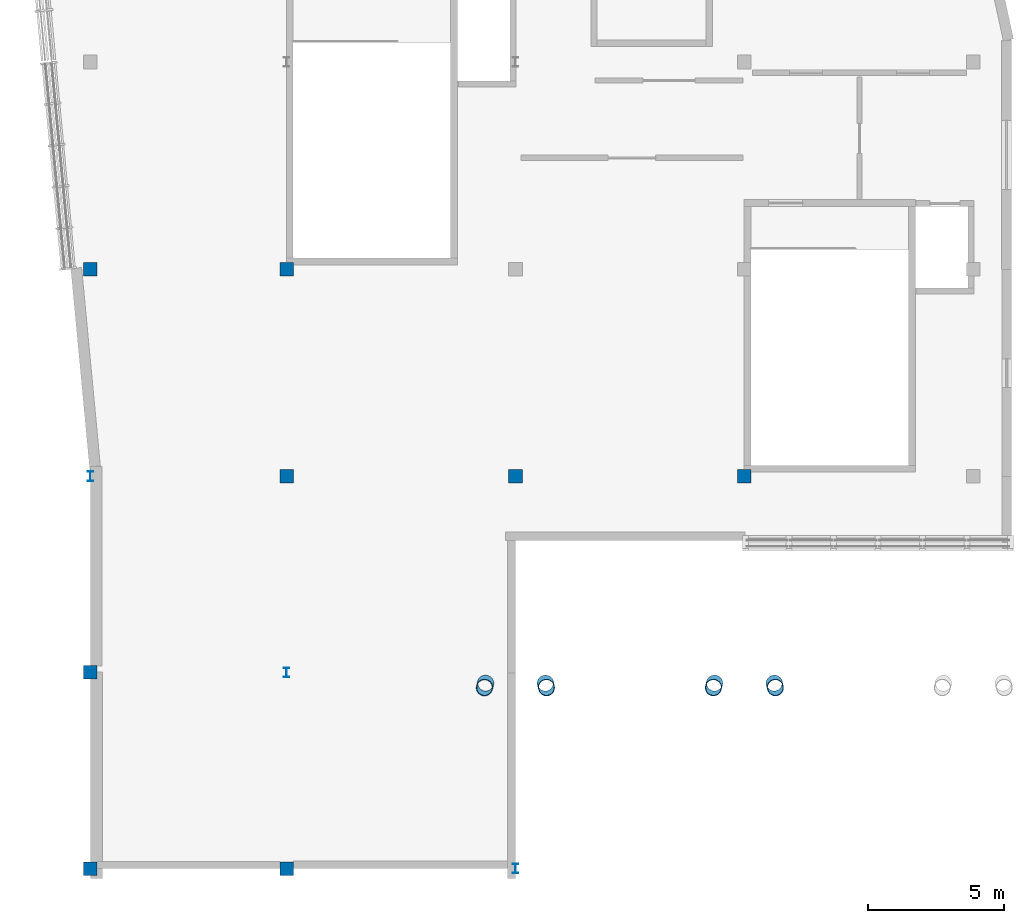
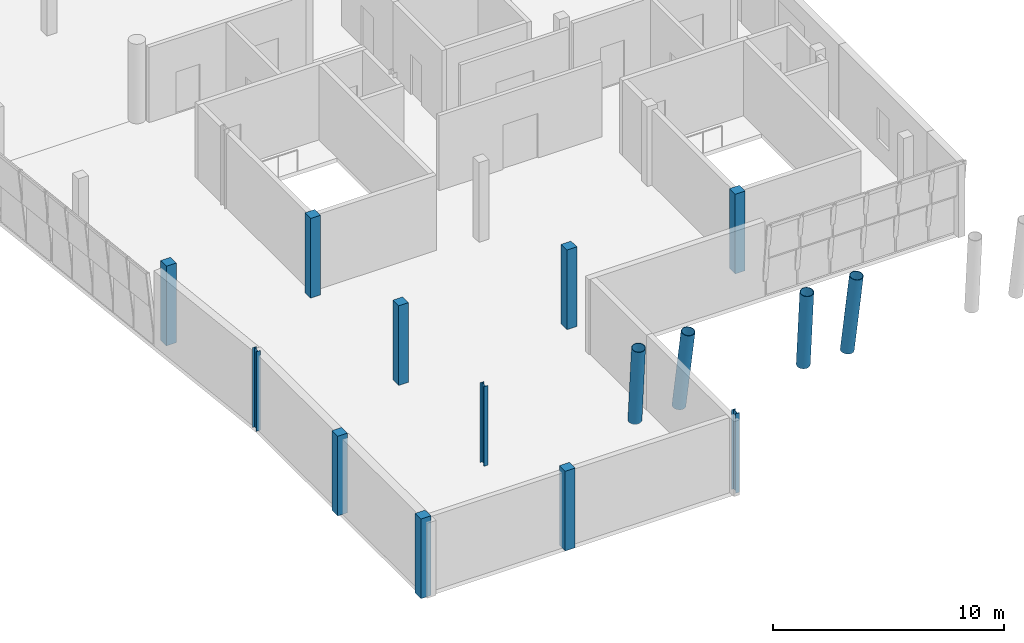
# One storey, part 1 of 17: 15 columns.
"""IFC4 building model written with IfcOpenShell, lengths in metres."""

from ifc_helpers import new_model, si_unit, direction, frame, origin, origin_2d, place, context, subcontext, project, spatial, rectangle, hollow_circle, i_section, extrude, material, material_profile, profile_set, type_object, element, save


model = new_model("IFC4")

# Units and contexts
model_context = context("Model", 3, precision=1e-05, world=origin(), true_north=direction((0.0, 1.0)))
body_context = subcontext(model_context, "Body", "Model", "MODEL_VIEW")
ifc_project = project(units=[si_unit("LENGTHUNIT", "METRE"), si_unit("AREAUNIT", "SQUARE_METRE"), si_unit("VOLUMEUNIT", "CUBIC_METRE"), si_unit("PLANEANGLEUNIT", "RADIAN"), si_unit("MASSUNIT", "GRAM", prefix="KILO")], contexts=[model_context])

# Site, building, storey
site_placement = place(None, origin())
site = spatial("IfcSite", under=ifc_project, at=site_placement, CompositionType="ELEMENT")
building_placement = place(site_placement, origin())
building = spatial("IfcBuilding", under=site, at=building_placement, Name="Xicomal Pleat Aquarium", CompositionType="ELEMENT")
storey_placement = place(building_placement, frame((0.0, 0.0, 19.800048828125)))
storey = spatial("IfcBuildingStorey", under=building, at=storey_placement, Name="L05", CompositionType="ELEMENT", Elevation=19.800048828125)

# Columns
ifc_material_1 = material(Name="Concrete C35/45", Category="concrete")
ifc_material_profile_1 = material_profile(ifc_material_1, rectangle(XDim=0.5, YDim=0.5, at=origin_2d()), Name="RC 500x500")
ifc_profile_set_1 = profile_set([ifc_material_profile_1], Name="Concrete C35/45")
column_type_1 = type_object("IfcColumnType", Name="COL-RC-500x500", PredefinedType="COLUMN", material=ifc_profile_set_1)
for number, where, z_axis, x_axis, name in (
    (1, (3.0, 0.800048828125, 0.0), (0.0, 0.0, 1.0), (1.0, 0.0, 0.0), "L05 column 01/A"),
    (2, (3.0, 8.0, 0.0), (0.0, 0.0, 1.0), (1.0, 0.0, 0.0), "L05 column 01/B"),
    (3, (3.0, 22.800048828125, 0.0), (0.0, 0.0, 1.0), (1.0, 0.0, 0.0), "L05 column 01/D"),
    (4, (10.199951171875, 0.800048828125, 0.0), (0.0, 0.0, 1.0), (1.0, 0.0, 0.0), "L05 column 02/A"),
    (5, (10.199951171875, 15.199951171875, 0.0), (0.0, 0.0, 1.0), (1.0, 0.0, 0.0), "L05 column 02/C"),
    (6, (10.199951171875, 22.800048828125, 0.0), (0.0, 0.0, 1.0), (1.0, 0.0, 0.0), "L05 column 02/D"),
    (7, (18.60009765625, 15.199951171875, 0.0), (0.0, 0.0, 1.0), (1.0, 0.0, 0.0), "L05 column 03/C"),
    (8, (27.0, 15.199951171875, 0.0), (0.0, 0.0, 1.0), (1.0, 0.0, 0.0), "L05 column 04/C"),
):
    element("IfcColumn", number, at=place(storey_placement, frame(where, z_axis=z_axis, x_axis=x_axis)), inside=storey, type_object=column_type_1, Name=name, PredefinedType="COLUMN", context=body_context, shape_type="SweptSolid", body=[
        extrude(rectangle(XDim=0.5, YDim=0.5, at=origin_2d()), origin(), (0.0, 0.0, 1.0), 4.199951171875),
    ])
ifc_material_2 = material(Name="Structural steel A992 Gr 50", Category="steel")
ifc_material_profile_2 = material_profile(ifc_material_2, i_section(OverallWidth=0.205078125, OverallDepth=0.35400390625, WebThickness=0.009521484375, FlangeThickness=0.016845703125, at=origin_2d()), Name="IR 360x79")
ifc_profile_set_2 = profile_set([ifc_material_profile_2], Name="Structural steel A992 Gr 50")
column_type_2 = type_object("IfcColumnType", Name="COL-STL-IR360", PredefinedType="COLUMN", material=ifc_profile_set_2)
for number, where, z_axis, x_axis, name in (
    (9, (3.0, 15.199951171875, 0.0), (0.0, 0.0, 1.0), (1.0, 0.0, 0.0), "L05 column 01/C"),
    (10, (10.199951171875, 8.0, 0.0), (0.0, 0.0, 1.0), (1.0, 0.0, 0.0), "L05 column 02/B"),
    (11, (18.60009765625, 0.800048828125, 0.0), (0.0, 0.0, 1.0), (1.0, 0.0, 0.0), "L05 column 03/A"),
):
    element("IfcColumn", number, at=place(storey_placement, frame(where, z_axis=z_axis, x_axis=x_axis)), inside=storey, type_object=column_type_2, Name=name, PredefinedType="COLUMN", context=body_context, shape_type="SweptSolid", body=[
        extrude(i_section(OverallWidth=0.205078125, OverallDepth=0.35400390625, WebThickness=0.009521484375, FlangeThickness=0.016845703125, at=origin_2d()), origin(), (0.0, 0.0, 1.0), 4.199951171875),
    ])
ifc_material_3 = material(Name="Architectural steel ASTM A572 Gr 50", Category="steel")
ifc_material_profile_3 = material_profile(ifc_material_3, hollow_circle(Radius=0.304931640625, WallThickness=0.02392578125, at=origin_2d()), Name="OC 610x24")
ifc_profile_set_3 = profile_set([ifc_material_profile_3], Name="Architectural steel ASTM A572 Gr 50")
column_type_3 = type_object("IfcColumnType", Name="COL-STL-OC610", PredefinedType="COLUMN", material=ifc_profile_set_3)
for number, where, z_axis, x_axis, name in (
    (12, (17.501953125, 7.595947265625, 0.005859375), (-0.032867909645, -0.130605173474, 0.990889493928), (0.969762870123, -0.244049125652, 0.0), "L05 entrance pavilion splayed steel column 03W"),
    (13, (19.697998046875, 7.595947265625, 0.005859375), (0.032867909645, -0.130605173474, 0.990889493928), (0.969762870123, 0.244049125652, 0.0), "L05 entrance pavilion splayed steel column 03E"),
    (14, (25.902099609375, 7.595947265625, 0.005859375), (-0.032925611418, -0.130604925291, 0.990887610985), (0.969661287127, -0.244452425326, 0.0), "L05 entrance pavilion splayed steel column 04W"),
    (15, (28.097900390625, 7.595947265625, 0.005859375), (0.032925611418, -0.130604925291, 0.990887610985), (0.969661287127, 0.244452425326, 0.0), "L05 entrance pavilion splayed steel column 04E"),
):
    element("IfcColumn", number, at=place(storey_placement, frame(where, z_axis=z_axis, x_axis=x_axis)), inside=storey, type_object=column_type_3, Name=name, PredefinedType="COLUMN", context=body_context, shape_type="SweptSolid", body=[
        extrude(hollow_circle(Radius=0.304931640625, WallThickness=0.02392578125, at=origin_2d()), origin(), (0.0, 0.0, 1.0), 4.2265625),
    ])

save(model, "model.ifc")
